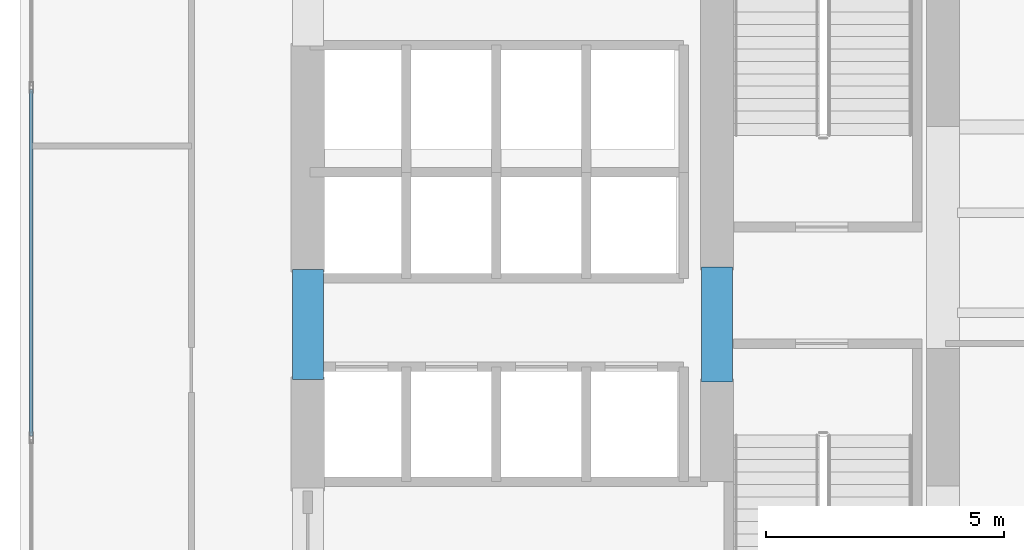
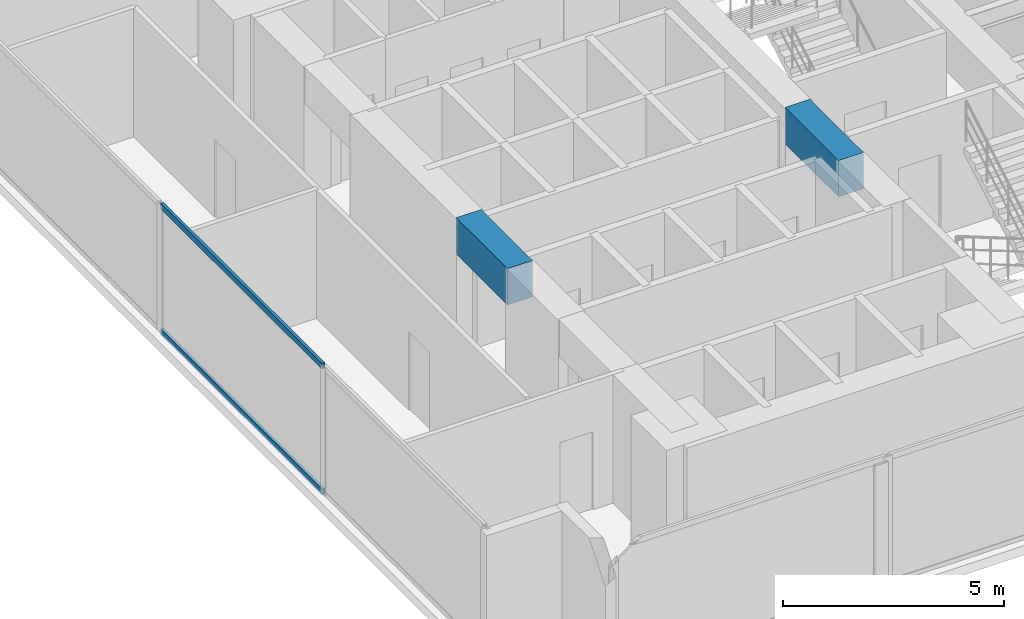
# One storey, part 3 of 26: 2 beams, 2 members, 1 element without a shape of its own.
"""IFC4 building model written with IfcOpenShell, lengths in metres."""

from ifc_helpers import new_model, si_unit, direction, frame, origin, origin_with_axes, origin_2d, place, context, subcontext, project, spatial, rectangle, hollow_rectangle, extrude, source, transform, mapped, material, layer, layer_set, material_profile, profile_set, type_object, element, aggregate, save


model = new_model("IFC4")

# Units and contexts
model_context = context("Model", 3, precision=1e-05, world=origin(), true_north=direction((0.0, 1.0)))
body_context = subcontext(model_context, "Body", "Model", "MODEL_VIEW")
ifc_project = project(units=[si_unit("LENGTHUNIT", "METRE"), si_unit("AREAUNIT", "SQUARE_METRE"), si_unit("VOLUMEUNIT", "CUBIC_METRE"), si_unit("PLANEANGLEUNIT", "RADIAN"), si_unit("MASSUNIT", "GRAM", prefix="KILO")], contexts=[model_context])

# Site, building, storey
site_placement = place(None, origin())
site = spatial("IfcSite", under=ifc_project, at=site_placement, CompositionType="ELEMENT")
building_placement = place(site_placement, origin())
building = spatial("IfcBuilding", under=site, at=building_placement, Name="Kolvaren Waterfront Exchange", CompositionType="ELEMENT")
storey_placement = place(building_placement, frame((0.0, 0.0, 44.800048828125)))
storey = spatial("IfcBuildingStorey", under=building, at=storey_placement, Name="L11", CompositionType="ELEMENT", Elevation=44.800048828125)

# Beams
ifc_material_1 = material(Name="Concrete C60/75", Category="concrete")
ifc_material_profile_1 = material_profile(ifc_material_1, rectangle(XDim=0.64990234375, YDim=1.0, at=origin_2d()), Name="RC-CB-1000x650")
ifc_profile_set_1 = profile_set([ifc_material_profile_1], Name="Concrete C60/75")
beam_type = type_object("IfcBeamType", Name="STR-CB-1000", PredefinedType="SPANDREL", material=ifc_profile_set_1)
beam_1_placement = place(storey_placement, frame((7.449951171875, 12.090087890625, 3.0400390625), z_axis=(0.0, 1.0, 0.0), x_axis=(-1.0, 0.0, 0.0)))
element("IfcBeam", 1, at=beam_1_placement, inside=storey, type_object=beam_type, Name="L11 core coupling beam 4", PredefinedType="SPANDREL", context=body_context, shape_type="SweptSolid", body=[
    extrude(rectangle(XDim=0.64990234375, YDim=1.0, at=origin_2d()), origin(), (0.0, 0.0, 1.0), 2.31982421875),
])
beam_2_placement = place(storey_placement, frame((16.050048828125, 12.0400390625, 3.0400390625), z_axis=(0.0, 1.0, 0.0), x_axis=(-1.0, 0.0, 0.0)))
element("IfcBeam", 2, at=beam_2_placement, inside=storey, type_object=beam_type, Name="L11 core coupling beam 6", PredefinedType="SPANDREL", context=body_context, shape_type="SweptSolid", body=[
    extrude(rectangle(XDim=0.64990234375, YDim=1.0, at=origin_2d()), origin(), (0.0, 0.0, 1.0), 2.419921875),
])

# Curtain wall, members
ifc_material_2 = material(Name="Anodised aluminium 6063-T6", Category="aluminium")
ifc_layer = layer(ifc_material_2, 0.219970703125, Name="Anodised aluminium 6063-T6")
ifc_layer_set = layer_set([ifc_layer], Name="Anodised aluminium 6063-T6")
curtain_wall_type = type_object("IfcCurtainWallType", Name="ARC-CW-SYS2", PredefinedType="USERDEFINED", material=ifc_layer_set)
curtain_wall_placement = place(storey_placement, origin())
curtain_wall = element("IfcCurtainWall", 3, at=curtain_wall_placement, inside=storey, type_object=curtain_wall_type, Name="L11 stick curtain wall CW2 (CW-L11-W)", ObjectType="STICK CURTAIN WALL", PredefinedType="USERDEFINED")
ifc_material_profile_2 = material_profile(ifc_material_2, hollow_rectangle(XDim=0.074951171875, YDim=0.159912109375, WallThickness=0.00439453125, at=origin_2d()), Name="ALU-TRN-160x75x4.5")
ifc_profile_set_2 = profile_set([ifc_material_profile_2], Name="Anodised aluminium 6063-T6")
member_type = type_object("IfcMemberType", Name="ARC-CWT-160", PredefinedType="USERDEFINED", material=ifc_profile_set_2)
shared_shape = source(origin_with_axes(), body_context, "Body", "SweptSolid", [
    extrude(hollow_rectangle(XDim=0.074951171875, YDim=0.159912109375, WallThickness=0.00439453125, at=origin_2d()), origin(), (0.0, 0.0, 1.0), 7.28662109375),
])
member_1_placement = place(storey_placement, frame((1.639892578125, 10.90673828125, 0.037353515625), z_axis=(0.0, 1.0, 0.0), x_axis=(-1.0, 0.0, 0.0)))
member_1 = element("IfcMember", 4, at=member_1_placement, type_object=member_type, Name="CW2 transom 2.1", ObjectType="TRANSOM", PredefinedType="USERDEFINED", context=body_context, shape_type="MappedRepresentation", body=[
    mapped(shared_shape, transform((0.0, 0.0, 0.0), x_axis=(1.0, 0.0, 0.0), y_axis=(0.0, 1.0, 0.0), z_axis=(0.0, 0.0, 1.0), scale=1.0)),
])
member_2_placement = place(storey_placement, frame((1.639892578125, 10.90673828125, 3.50244140625), z_axis=(0.0, 1.0, 0.0), x_axis=(-1.0, 0.0, 0.0)))
member_2 = element("IfcMember", 5, at=member_2_placement, type_object=member_type, Name="CW2 transom 2.2", ObjectType="TRANSOM", PredefinedType="USERDEFINED", context=body_context, shape_type="MappedRepresentation", body=[
    mapped(shared_shape, transform((0.0, 0.0, 0.0), x_axis=(1.0, 0.0, 0.0), y_axis=(0.0, 1.0, 0.0), z_axis=(0.0, 0.0, 1.0), scale=1.0)),
])
aggregate(curtain_wall, [member_1, member_2])

save(model, "model.ifc")
